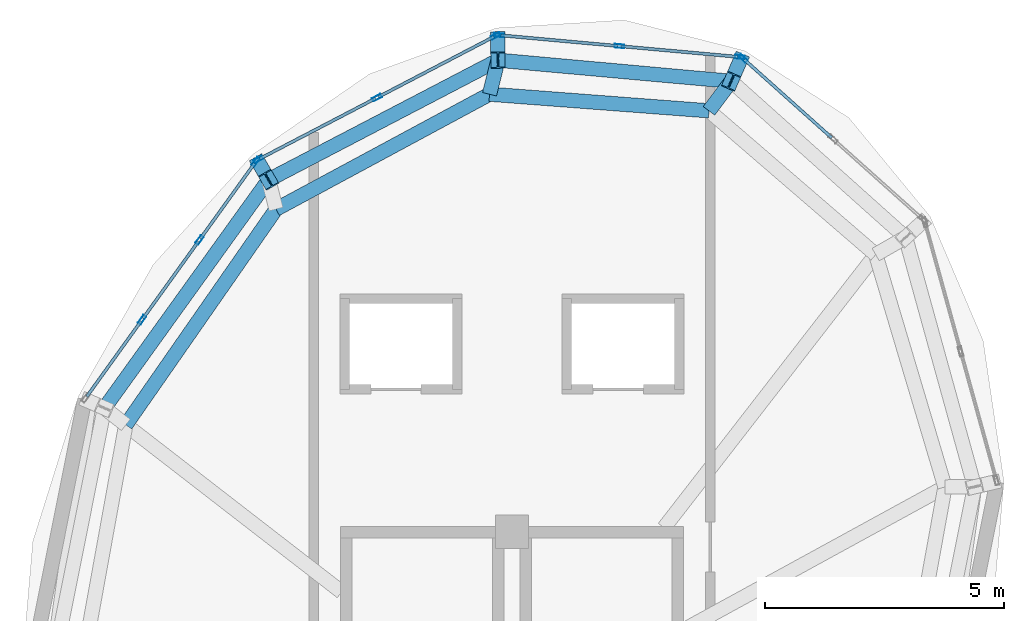
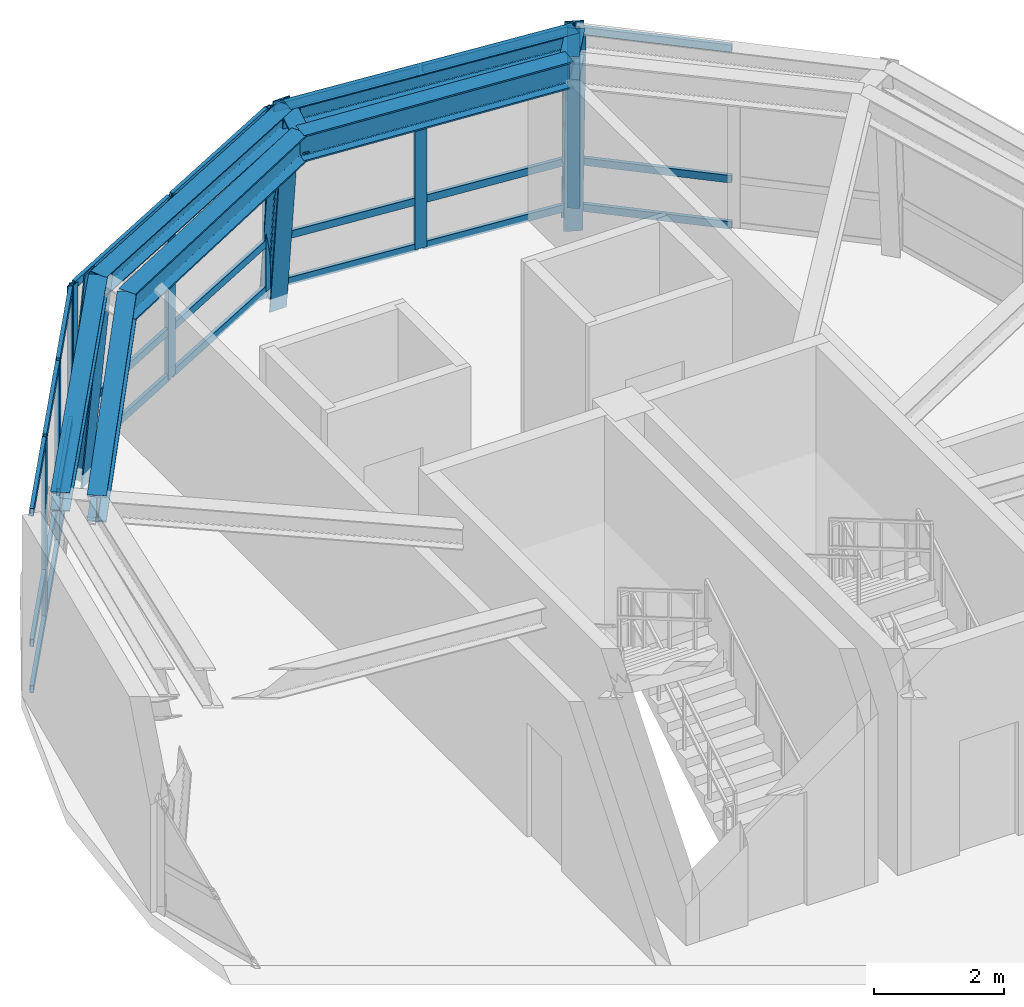
# One storey, part 5 of 9: 37 members, 8 beams, 4 elements without a shape of their own.
"""IFC4 building model written with IfcOpenShell, lengths in metres."""

from ifc_helpers import new_model, si_unit, direction, frame, origin, origin_2d, place, context, subcontext, project, spatial, hollow_rectangle, i_section, extrude, material, layer, layer_set, material_profile, profile_set, type_object, element, aggregate, save


model = new_model("IFC4")

# Units and contexts
model_context = context("Model", 3, precision=1e-05, world=origin(), true_north=direction((0.0, 1.0)))
body_context = subcontext(model_context, "Body", "Model", "MODEL_VIEW")
ifc_project = project(units=[si_unit("LENGTHUNIT", "METRE"), si_unit("AREAUNIT", "SQUARE_METRE"), si_unit("VOLUMEUNIT", "CUBIC_METRE"), si_unit("PLANEANGLEUNIT", "RADIAN"), si_unit("MASSUNIT", "GRAM", prefix="KILO"), si_unit("THERMODYNAMICTEMPERATUREUNIT", "KELVIN"), si_unit("POWERUNIT", "WATT")], contexts=[model_context])

# Site, building, storey
site_placement = place(None, origin())
site = spatial("IfcSite", under=ifc_project, at=site_placement, CompositionType="ELEMENT")
building_placement = place(site_placement, origin())
building = spatial("IfcBuilding", under=site, at=building_placement, Name="Ocrelia Relay Tower", CompositionType="ELEMENT")
storey_placement = place(building_placement, frame((0.0, 0.0, 304.0)))
storey = spatial("IfcBuildingStorey", under=building, at=storey_placement, Name="L76", CompositionType="ELEMENT", Elevation=304.0)

# Beams
ifc_material_1 = material(Name="Steel S355", Category="steel")
ifc_material_profile_1 = material_profile(ifc_material_1, i_section(OverallWidth=0.300048828125, OverallDepth=0.35009765625, WebThickness=0.010009765625, FlangeThickness=0.017578125, FilletRadius=0.027099609375, at=origin_2d()), Name="HEA 360")
ifc_profile_set_1 = profile_set([ifc_material_profile_1], Name="Steel S355")
beam_type_1 = type_object("IfcBeamType", Name="BM-HEA360", PredefinedType="SPANDREL", material=ifc_profile_set_1)
beam_1_placement = place(storey_placement, frame((38.585693359375, 36.546142578125, 3.574951171875), z_axis=(-0.995932328639, 0.090104366002, 0.0), x_axis=(-0.090104366002, -0.995932328639, 0.0)))
element("IfcBeam", 1, at=beam_1_placement, inside=storey, type_object=beam_type_1, Name="L76 Crown Faceted Ring Beam R01", PredefinedType="SPANDREL", context=body_context, shape_type="SweptSolid", body=[
    extrude(i_section(OverallWidth=0.300048828125, OverallDepth=0.35009765625, WebThickness=0.010009765625, FlangeThickness=0.017578125, FilletRadius=0.027099609375, at=origin_2d()), origin(), (0.0, 0.0, 1.0), 4.89892578125),
])
beam_2_placement = place(storey_placement, frame((33.706787109375, 36.987548828125, 3.574951171875), z_axis=(-0.886694185125, -0.462356379935, 0.0), x_axis=(0.462356379935, -0.886694185125, 0.0)))
element("IfcBeam", 2, at=beam_2_placement, inside=storey, type_object=beam_type_1, Name="L76 Crown Faceted Ring Beam R02", PredefinedType="SPANDREL", context=body_context, shape_type="SweptSolid", body=[
    extrude(i_section(OverallWidth=0.300048828125, OverallDepth=0.35009765625, WebThickness=0.010009765625, FlangeThickness=0.017578125, FilletRadius=0.027099609375, at=origin_2d()), origin(), (0.0, 0.0, 1.0), 5.413330078125),
])
beam_3_placement = place(storey_placement, frame((28.90673828125, 34.484619140625, 3.574951171875), z_axis=(-0.583939549479, -0.811797143722, 0.0), x_axis=(0.811797143722, -0.583939549479, 0.0)))
element("IfcBeam", 3, at=beam_3_placement, inside=storey, type_object=beam_type_1, Name="L76 Crown Faceted Ring Beam R03", PredefinedType="SPANDREL", context=body_context, shape_type="SweptSolid", body=[
    extrude(i_section(OverallWidth=0.300048828125, OverallDepth=0.35009765625, WebThickness=0.010009765625, FlangeThickness=0.017578125, FilletRadius=0.027099609375, at=origin_2d()), origin(), (0.0, 0.0, 1.0), 5.88330078125),
])
ifc_material_profile_2 = material_profile(ifc_material_1, i_section(OverallWidth=0.300048828125, OverallDepth=0.449951171875, WebThickness=0.013916015625, FlangeThickness=0.02587890625, FilletRadius=0.027099609375, at=origin_2d()), Name="HEB 450")
ifc_profile_set_2 = profile_set([ifc_material_profile_2], Name="Steel S355")
beam_type_2 = type_object("IfcBeamType", Name="BM-HEB450", PredefinedType="BEAM", material=ifc_profile_set_2)
beam_4_placement = place(storey_placement, frame((38.585693359375, 36.546142578125, 3.52490234375), z_axis=(-0.599595346551, -0.800303330241, 0.0), x_axis=(0.800303330241, -0.599595346551, 0.0)))
element("IfcBeam", 4, at=beam_4_placement, inside=storey, type_object=beam_type_2, Name="L76 Crown Step Radial Beam ST01", PredefinedType="BEAM", context=body_context, shape_type="SweptSolid", body=[
    extrude(i_section(OverallWidth=0.300048828125, OverallDepth=0.449951171875, WebThickness=0.013916015625, FlangeThickness=0.02587890625, FilletRadius=0.027099609375, at=origin_2d()), origin(), (0.0, 0.0, 1.0), 0.7724609375),
])
beam_5_placement = place(storey_placement, frame((33.706787109375, 36.987548828125, 3.52490234375), z_axis=(-0.241360467191, -0.970435533602, 0.0), x_axis=(0.970435533602, -0.241360467191, 0.0)))
element("IfcBeam", 5, at=beam_5_placement, inside=storey, type_object=beam_type_2, Name="L76 Crown Step Radial Beam ST02", PredefinedType="BEAM", context=body_context, shape_type="SweptSolid", body=[
    extrude(i_section(OverallWidth=0.300048828125, OverallDepth=0.449951171875, WebThickness=0.013916015625, FlangeThickness=0.02587890625, FilletRadius=0.027099609375, at=origin_2d()), origin(), (0.0, 0.0, 1.0), 0.7333984375),
])
ifc_material_profile_3 = material_profile(ifc_material_1, i_section(OverallWidth=0.300048828125, OverallDepth=0.5, WebThickness=0.014404296875, FlangeThickness=0.028076171875, FilletRadius=0.027099609375, at=origin_2d()), Name="HEB 500")
ifc_profile_set_3 = profile_set([ifc_material_profile_3], Name="Steel S355")
beam_type_3 = type_object("IfcBeamType", Name="BM-HEB500", PredefinedType="BEAM", material=ifc_profile_set_3)
beam_6_placement = place(storey_placement, frame((38.12255859375, 35.927978515625, 3.5), z_axis=(-0.997143292946, 0.075533127389, 0.0), x_axis=(-0.075533127389, -0.997143292946, 0.0)))
element("IfcBeam", 6, at=beam_6_placement, inside=storey, type_object=beam_type_3, Name="L76 Crown Step Perimeter Ring Beam SR01", PredefinedType="BEAM", context=body_context, shape_type="SweptSolid", body=[
    extrude(i_section(OverallWidth=0.300048828125, OverallDepth=0.5, WebThickness=0.014404296875, FlangeThickness=0.028076171875, FilletRadius=0.027099609375, at=origin_2d()), origin(), (0.0, 0.0, 1.0), 4.60595703125),
])
beam_7_placement = place(storey_placement, frame((33.52978515625, 36.27587890625, 3.5), z_axis=(-0.880424740468, -0.474185909082, 0.0), x_axis=(0.474185909082, -0.880424740468, 0.0)))
element("IfcBeam", 7, at=beam_7_placement, inside=storey, type_object=beam_type_3, Name="L76 Crown Step Perimeter Ring Beam SR02", PredefinedType="BEAM", context=body_context, shape_type="SweptSolid", body=[
    extrude(i_section(OverallWidth=0.300048828125, OverallDepth=0.5, WebThickness=0.014404296875, FlangeThickness=0.028076171875, FilletRadius=0.027099609375, at=origin_2d()), origin(), (0.0, 0.0, 1.0), 5.073486328125),
])
beam_8_placement = place(storey_placement, frame((29.06298828125, 33.8701171875, 3.5), z_axis=(-0.571483081197, -0.820613848229, 0.0), x_axis=(0.820613848229, -0.571483081197, 0.0)))
element("IfcBeam", 8, at=beam_8_placement, inside=storey, type_object=beam_type_3, Name="L76 Crown Step Perimeter Ring Beam SR03", PredefinedType="BEAM", context=body_context, shape_type="SweptSolid", body=[
    extrude(i_section(OverallWidth=0.300048828125, OverallDepth=0.5, WebThickness=0.014404296875, FlangeThickness=0.028076171875, FilletRadius=0.027099609375, at=origin_2d()), origin(), (0.0, 0.0, 1.0), 5.50146484375),
])

# Curtain wall, members
ifc_material_2 = material(Name="Aluminium and solar-control low-E glass", Category="aluminium")
ifc_layer = layer(ifc_material_2, 0.179931640625, Name="Aluminium and solar-control low-E glass")
ifc_layer_set = layer_set([ifc_layer], Name="Aluminium and solar-control low-E glass")
curtain_wall_type = type_object("IfcCurtainWallType", Name="CW-SYS-CROWN-PT", PredefinedType="NOTDEFINED", material=ifc_layer_set)
curtain_wall_1_placement = place(storey_placement, origin())
curtain_wall_1 = element("IfcCurtainWall", 9, at=curtain_wall_1_placement, inside=storey, type_object=curtain_wall_type, Name="L76 Faceted Glass-Point Crown Curtain Wall 01", PredefinedType="NOTDEFINED")
ifc_material_3 = material(Name="Anodised bronze aluminium", Category="aluminium")
ifc_material_profile_4 = material_profile(ifc_material_3, hollow_rectangle(XDim=0.074951171875, YDim=0.199951171875, WallThickness=0.006103515625, at=origin_2d()), Name="CW-MUL-200x75")
ifc_profile_set_4 = profile_set([ifc_material_profile_4], Name="Anodised bronze aluminium")
member_type_1 = type_object("IfcMemberType", Name="CW-SYS-CROWN-PT-MUL", PredefinedType="MULLION", material=ifc_profile_set_4)
member_1_placement = place(storey_placement, frame((38.767578125, 37.053955078125, 0.0), z_axis=(0.0, 0.0, 1.0), x_axis=(-0.090237264433, -0.995920296062, 0.0)))
member_1 = element("IfcMember", 10, at=member_1_placement, type_object=member_type_1, Name="CW-CR mullion 1", PredefinedType="MULLION", context=body_context, shape_type="SweptSolid", body=[
    extrude(hollow_rectangle(XDim=0.074951171875, YDim=0.199951171875, WallThickness=0.006103515625, at=origin_2d()), origin(), (0.0, 0.0, 1.0), 3.389892578125),
])
member_2_placement = place(storey_placement, frame((36.247802734375, 37.2822265625, 0.0), z_axis=(0.0, 0.0, 1.0), x_axis=(-0.090237264433, -0.995920296062, 0.0)))
member_2 = element("IfcMember", 11, at=member_2_placement, type_object=member_type_1, Name="CW-CR mullion 2", PredefinedType="MULLION", context=body_context, shape_type="SweptSolid", body=[
    extrude(hollow_rectangle(XDim=0.074951171875, YDim=0.199951171875, WallThickness=0.006103515625, at=origin_2d()), origin(), (0.0, 0.0, 1.0), 3.389892578125),
])
member_3_placement = place(storey_placement, frame((33.727783203125, 37.510498046875, 0.0), z_axis=(0.0, 0.0, 1.0), x_axis=(-0.090237264433, -0.995920296062, 0.0)))
member_3 = element("IfcMember", 12, at=member_3_placement, type_object=member_type_1, Name="CW-CR mullion 3", PredefinedType="MULLION", context=body_context, shape_type="SweptSolid", body=[
    extrude(hollow_rectangle(XDim=0.074951171875, YDim=0.199951171875, WallThickness=0.006103515625, at=origin_2d()), origin(), (0.0, 0.0, 1.0), 3.389892578125),
])

curtain_wall_2_placement = place(storey_placement, origin())
curtain_wall_2 = element("IfcCurtainWall", 13, at=curtain_wall_2_placement, inside=storey, type_object=curtain_wall_type, Name="L76 Faceted Glass-Point Crown Curtain Wall 02", PredefinedType="NOTDEFINED")
member_4_placement = place(storey_placement, frame((33.6572265625, 37.49658203125, 0.0), z_axis=(0.0, 0.0, 1.0), x_axis=(0.462104539137, -0.886825459101, 0.0)))
member_4 = element("IfcMember", 14, at=member_4_placement, type_object=member_type_1, Name="CW-CR mullion 1", PredefinedType="MULLION", context=body_context, shape_type="SweptSolid", body=[
    extrude(hollow_rectangle(XDim=0.074951171875, YDim=0.199951171875, WallThickness=0.006103515625, at=origin_2d()), origin(), (0.0, 0.0, 1.0), 3.389892578125),
])
member_5_placement = place(storey_placement, frame((31.1748046875, 36.203125, 0.0), z_axis=(0.0, 0.0, 1.0), x_axis=(0.462104539137, -0.886825459101, 0.0)))
member_5 = element("IfcMember", 15, at=member_5_placement, type_object=member_type_1, Name="CW-CR mullion 2", PredefinedType="MULLION", context=body_context, shape_type="SweptSolid", body=[
    extrude(hollow_rectangle(XDim=0.074951171875, YDim=0.199951171875, WallThickness=0.006103515625, at=origin_2d()), origin(), (0.0, 0.0, 1.0), 3.389892578125),
])
member_6_placement = place(storey_placement, frame((28.692138671875, 34.909423828125, 0.0), z_axis=(0.0, 0.0, 1.0), x_axis=(0.462104539137, -0.886825459101, 0.0)))
member_6 = element("IfcMember", 16, at=member_6_placement, type_object=member_type_1, Name="CW-CR mullion 3", PredefinedType="MULLION", context=body_context, shape_type="SweptSolid", body=[
    extrude(hollow_rectangle(XDim=0.074951171875, YDim=0.199951171875, WallThickness=0.006103515625, at=origin_2d()), origin(), (0.0, 0.0, 1.0), 3.389892578125),
])

curtain_wall_3_placement = place(storey_placement, origin())
curtain_wall_3 = element("IfcCurtainWall", 17, at=curtain_wall_3_placement, inside=storey, type_object=curtain_wall_type, Name="L76 Faceted Glass-Point Crown Curtain Wall 03", PredefinedType="NOTDEFINED")
member_7_placement = place(storey_placement, frame((28.63720703125, 34.86181640625, 0.0), z_axis=(0.0, 0.0, 1.0), x_axis=(0.811754879976, -0.583998300371, 0.0)))
member_7 = element("IfcMember", 18, at=member_7_placement, type_object=member_type_1, Name="CW-CR mullion 1", PredefinedType="MULLION", context=body_context, shape_type="SweptSolid", body=[
    extrude(hollow_rectangle(XDim=0.074951171875, YDim=0.199951171875, WallThickness=0.006103515625, at=origin_2d()), origin(), (0.0, 0.0, 1.0), 3.389892578125),
])
member_8_placement = place(storey_placement, frame((27.458984375, 33.22412109375, 0.0), z_axis=(0.0, 0.0, 1.0), x_axis=(0.811754879976, -0.583998300371, 0.0)))
member_8 = element("IfcMember", 19, at=member_8_placement, type_object=member_type_1, Name="CW-CR mullion 2", PredefinedType="MULLION", context=body_context, shape_type="SweptSolid", body=[
    extrude(hollow_rectangle(XDim=0.074951171875, YDim=0.199951171875, WallThickness=0.006103515625, at=origin_2d()), origin(), (0.0, 0.0, 1.0), 3.389892578125),
])
member_9_placement = place(storey_placement, frame((26.2587890625, 31.555908203125, 0.0), z_axis=(0.0, 0.0, 1.0), x_axis=(0.811754879976, -0.583998300371, 0.0)))
member_9 = element("IfcMember", 20, at=member_9_placement, type_object=member_type_1, Name="CW-CR mullion 3", PredefinedType="MULLION", context=body_context, shape_type="SweptSolid", body=[
    extrude(hollow_rectangle(XDim=0.074951171875, YDim=0.199951171875, WallThickness=0.006103515625, at=origin_2d()), origin(), (0.0, 0.0, 1.0), 3.389892578125),
])

# Curtain wall, member
curtain_wall_4_placement = place(storey_placement, origin())
curtain_wall_4 = element("IfcCurtainWall", 21, at=curtain_wall_4_placement, inside=storey, type_object=curtain_wall_type, Name="L76 Faceted Glass-Point Crown Curtain Wall 12", PredefinedType="NOTDEFINED")
member_10_placement = place(storey_placement, frame((38.832763671875, 37.025634765625, 0.0), z_axis=(0.0, 0.0, 1.0), x_axis=(-0.666821042262, -0.745217885988, 0.0)))
member_10 = element("IfcMember", 22, at=member_10_placement, type_object=member_type_1, Name="CW-CR mullion 3", PredefinedType="MULLION", context=body_context, shape_type="SweptSolid", body=[
    extrude(hollow_rectangle(XDim=0.074951171875, YDim=0.199951171875, WallThickness=0.006103515625, at=origin_2d()), origin(), (0.0, 0.0, 1.0), 3.389892578125),
])

# Member
ifc_material_profile_5 = material_profile(ifc_material_3, hollow_rectangle(XDim=0.06494140625, YDim=0.139892578125, WallThickness=0.0048828125, at=origin_2d()), Name="CW-TRN-140x65")
ifc_profile_set_5 = profile_set([ifc_material_profile_5], Name="Anodised bronze aluminium")
member_type_2 = type_object("IfcMemberType", Name="CW-SYS-CROWN-PT-TRN", PredefinedType="USERDEFINED", material=ifc_profile_set_5)
member_11_placement = place(storey_placement, frame((38.730224609375, 37.057373046875, 0.032470703125), z_axis=(-0.995924122311, 0.090195025356, 0.0), x_axis=(-0.090195025356, -0.995924122311, 0.0)))
member_11 = element("IfcMember", 23, at=member_11_placement, type_object=member_type_2, Name="CW-CR transom 1.1", ObjectType="TRANSOM", PredefinedType="USERDEFINED", context=body_context, shape_type="SweptSolid", body=[
    extrude(hollow_rectangle(XDim=0.06494140625, YDim=0.139892578125, WallThickness=0.0048828125, at=origin_2d()), origin(), (0.0, 0.0, 1.0), 2.455078125),
])

member_12_placement = place(storey_placement, frame((38.730224609375, 37.057373046875, 0.89990234375), z_axis=(-0.995924122311, 0.090195025356, 0.0), x_axis=(-0.090195025356, -0.995924122311, 0.0)))
member_12 = element("IfcMember", 24, at=member_12_placement, type_object=member_type_2, Name="CW-CR transom 1.2", ObjectType="TRANSOM", PredefinedType="USERDEFINED", context=body_context, shape_type="SweptSolid", body=[
    extrude(hollow_rectangle(XDim=0.06494140625, YDim=0.139892578125, WallThickness=0.0048828125, at=origin_2d()), origin(), (0.0, 0.0, 1.0), 2.455078125),
])

member_13_placement = place(storey_placement, frame((38.730224609375, 37.057373046875, 3.357421875), z_axis=(-0.995924122311, 0.090195025356, 0.0), x_axis=(-0.090195025356, -0.995924122311, 0.0)))
member_13 = element("IfcMember", 25, at=member_13_placement, type_object=member_type_2, Name="CW-CR transom 1.3", ObjectType="TRANSOM", PredefinedType="USERDEFINED", context=body_context, shape_type="SweptSolid", body=[
    extrude(hollow_rectangle(XDim=0.06494140625, YDim=0.139892578125, WallThickness=0.0048828125, at=origin_2d()), origin(), (0.0, 0.0, 1.0), 2.455078125),
])

member_14_placement = place(storey_placement, frame((36.21044921875, 37.28564453125, 0.032470703125), z_axis=(-0.995915995406, 0.090284716836, 0.0), x_axis=(-0.090284716836, -0.995915995406, 0.0)))
member_14 = element("IfcMember", 26, at=member_14_placement, type_object=member_type_2, Name="CW-CR transom 2.1", ObjectType="TRANSOM", PredefinedType="USERDEFINED", context=body_context, shape_type="SweptSolid", body=[
    extrude(hollow_rectangle(XDim=0.06494140625, YDim=0.139892578125, WallThickness=0.0048828125, at=origin_2d()), origin(), (0.0, 0.0, 1.0), 2.455322265625),
])

member_15_placement = place(storey_placement, frame((36.21044921875, 37.28564453125, 0.89990234375), z_axis=(-0.995915995406, 0.090284716836, 0.0), x_axis=(-0.090284716836, -0.995915995406, 0.0)))
member_15 = element("IfcMember", 27, at=member_15_placement, type_object=member_type_2, Name="CW-CR transom 2.2", ObjectType="TRANSOM", PredefinedType="USERDEFINED", context=body_context, shape_type="SweptSolid", body=[
    extrude(hollow_rectangle(XDim=0.06494140625, YDim=0.139892578125, WallThickness=0.0048828125, at=origin_2d()), origin(), (0.0, 0.0, 1.0), 2.455322265625),
])

member_16_placement = place(storey_placement, frame((36.21044921875, 37.28564453125, 3.357421875), z_axis=(-0.995915995406, 0.090284716836, 0.0), x_axis=(-0.090284716836, -0.995915995406, 0.0)))
member_16 = element("IfcMember", 28, at=member_16_placement, type_object=member_type_2, Name="CW-CR transom 2.3", ObjectType="TRANSOM", PredefinedType="USERDEFINED", context=body_context, shape_type="SweptSolid", body=[
    extrude(hollow_rectangle(XDim=0.06494140625, YDim=0.139892578125, WallThickness=0.0048828125, at=origin_2d()), origin(), (0.0, 0.0, 1.0), 2.455322265625),
])

aggregate(curtain_wall_1, [member_1, member_2, member_3, member_11, member_12, member_13, member_14, member_15, member_16])

member_17_placement = place(storey_placement, frame((33.6240234375, 37.479248046875, 0.032470703125), z_axis=(-0.886846762795, -0.462063652887, 0.0), x_axis=(0.462063652887, -0.886846762795, 0.0)))
member_17 = element("IfcMember", 29, at=member_17_placement, type_object=member_type_2, Name="CW-CR transom 1.1", ObjectType="TRANSOM", PredefinedType="USERDEFINED", context=body_context, shape_type="SweptSolid", body=[
    extrude(hollow_rectangle(XDim=0.06494140625, YDim=0.139892578125, WallThickness=0.0048828125, at=origin_2d()), origin(), (0.0, 0.0, 1.0), 2.724365234375),
])

member_18_placement = place(storey_placement, frame((33.6240234375, 37.479248046875, 0.89990234375), z_axis=(-0.886846762795, -0.462063652887, 0.0), x_axis=(0.462063652887, -0.886846762795, 0.0)))
member_18 = element("IfcMember", 30, at=member_18_placement, type_object=member_type_2, Name="CW-CR transom 1.2", ObjectType="TRANSOM", PredefinedType="USERDEFINED", context=body_context, shape_type="SweptSolid", body=[
    extrude(hollow_rectangle(XDim=0.06494140625, YDim=0.139892578125, WallThickness=0.0048828125, at=origin_2d()), origin(), (0.0, 0.0, 1.0), 2.724365234375),
])

member_19_placement = place(storey_placement, frame((33.6240234375, 37.479248046875, 3.357421875), z_axis=(-0.886846762795, -0.462063652887, 0.0), x_axis=(0.462063652887, -0.886846762795, 0.0)))
member_19 = element("IfcMember", 31, at=member_19_placement, type_object=member_type_2, Name="CW-CR transom 1.3", ObjectType="TRANSOM", PredefinedType="USERDEFINED", context=body_context, shape_type="SweptSolid", body=[
    extrude(hollow_rectangle(XDim=0.06494140625, YDim=0.139892578125, WallThickness=0.0048828125, at=origin_2d()), origin(), (0.0, 0.0, 1.0), 2.724365234375),
])

member_20_placement = place(storey_placement, frame((31.1416015625, 36.185791015625, 0.032470703125), z_axis=(-0.886810038419, -0.462134131783, 0.0), x_axis=(0.462134131783, -0.886810038419, 0.0)))
member_20 = element("IfcMember", 32, at=member_20_placement, type_object=member_type_2, Name="CW-CR transom 2.1", ObjectType="TRANSOM", PredefinedType="USERDEFINED", context=body_context, shape_type="SweptSolid", body=[
    extrude(hollow_rectangle(XDim=0.06494140625, YDim=0.139892578125, WallThickness=0.0048828125, at=origin_2d()), origin(), (0.0, 0.0, 1.0), 2.724365234375),
])

member_21_placement = place(storey_placement, frame((31.1416015625, 36.185791015625, 0.89990234375), z_axis=(-0.886810038419, -0.462134131783, 0.0), x_axis=(0.462134131783, -0.886810038419, 0.0)))
member_21 = element("IfcMember", 33, at=member_21_placement, type_object=member_type_2, Name="CW-CR transom 2.2", ObjectType="TRANSOM", PredefinedType="USERDEFINED", context=body_context, shape_type="SweptSolid", body=[
    extrude(hollow_rectangle(XDim=0.06494140625, YDim=0.139892578125, WallThickness=0.0048828125, at=origin_2d()), origin(), (0.0, 0.0, 1.0), 2.724365234375),
])

member_22_placement = place(storey_placement, frame((31.1416015625, 36.185791015625, 3.357421875), z_axis=(-0.886810038419, -0.462134131783, 0.0), x_axis=(0.462134131783, -0.886810038419, 0.0)))
member_22 = element("IfcMember", 34, at=member_22_placement, type_object=member_type_2, Name="CW-CR transom 2.3", ObjectType="TRANSOM", PredefinedType="USERDEFINED", context=body_context, shape_type="SweptSolid", body=[
    extrude(hollow_rectangle(XDim=0.06494140625, YDim=0.139892578125, WallThickness=0.0048828125, at=origin_2d()), origin(), (0.0, 0.0, 1.0), 2.724365234375),
])

aggregate(curtain_wall_2, [member_4, member_5, member_6, member_17, member_18, member_19, member_20, member_21, member_22])

member_23_placement = place(storey_placement, frame((28.615234375, 34.831298828125, 0.032470703125), z_axis=(-0.584016653813, -0.8117416757, 0.0), x_axis=(0.8117416757, -0.584016653813, 0.0)))
member_23 = element("IfcMember", 35, at=member_23_placement, type_object=member_type_2, Name="CW-CR transom 1.1", ObjectType="TRANSOM", PredefinedType="USERDEFINED", context=body_context, shape_type="SweptSolid", body=[
    extrude(hollow_rectangle(XDim=0.06494140625, YDim=0.139892578125, WallThickness=0.0048828125, at=origin_2d()), origin(), (0.0, 0.0, 1.0), 1.942626953125),
])

member_24_placement = place(storey_placement, frame((28.615234375, 34.831298828125, 0.89990234375), z_axis=(-0.584016653813, -0.8117416757, 0.0), x_axis=(0.8117416757, -0.584016653813, 0.0)))
member_24 = element("IfcMember", 36, at=member_24_placement, type_object=member_type_2, Name="CW-CR transom 1.2", ObjectType="TRANSOM", PredefinedType="USERDEFINED", context=body_context, shape_type="SweptSolid", body=[
    extrude(hollow_rectangle(XDim=0.06494140625, YDim=0.139892578125, WallThickness=0.0048828125, at=origin_2d()), origin(), (0.0, 0.0, 1.0), 1.942626953125),
])

member_25_placement = place(storey_placement, frame((28.615234375, 34.831298828125, 3.357421875), z_axis=(-0.584016653813, -0.8117416757, 0.0), x_axis=(0.8117416757, -0.584016653813, 0.0)))
member_25 = element("IfcMember", 37, at=member_25_placement, type_object=member_type_2, Name="CW-CR transom 1.3", ObjectType="TRANSOM", PredefinedType="USERDEFINED", context=body_context, shape_type="SweptSolid", body=[
    extrude(hollow_rectangle(XDim=0.06494140625, YDim=0.139892578125, WallThickness=0.0048828125, at=origin_2d()), origin(), (0.0, 0.0, 1.0), 1.942626953125),
])

member_26_placement = place(storey_placement, frame((27.43701171875, 33.193603515625, 0.032470703125), z_axis=(-0.583999331402, -0.811754138223, 0.0), x_axis=(0.811754138223, -0.583999331402, 0.0)))
member_26 = element("IfcMember", 38, at=member_26_placement, type_object=member_type_2, Name="CW-CR transom 2.1", ObjectType="TRANSOM", PredefinedType="USERDEFINED", context=body_context, shape_type="SweptSolid", body=[
    extrude(hollow_rectangle(XDim=0.06494140625, YDim=0.139892578125, WallThickness=0.0048828125, at=origin_2d()), origin(), (0.0, 0.0, 1.0), 1.97998046875),
])

member_27_placement = place(storey_placement, frame((27.43701171875, 33.193603515625, 0.89990234375), z_axis=(-0.583999331402, -0.811754138223, 0.0), x_axis=(0.811754138223, -0.583999331402, 0.0)))
member_27 = element("IfcMember", 39, at=member_27_placement, type_object=member_type_2, Name="CW-CR transom 2.2", ObjectType="TRANSOM", PredefinedType="USERDEFINED", context=body_context, shape_type="SweptSolid", body=[
    extrude(hollow_rectangle(XDim=0.06494140625, YDim=0.139892578125, WallThickness=0.0048828125, at=origin_2d()), origin(), (0.0, 0.0, 1.0), 1.97998046875),
])

member_28_placement = place(storey_placement, frame((27.43701171875, 33.193603515625, 3.357421875), z_axis=(-0.583999331402, -0.811754138223, 0.0), x_axis=(0.811754138223, -0.583999331402, 0.0)))
member_28 = element("IfcMember", 40, at=member_28_placement, type_object=member_type_2, Name="CW-CR transom 2.3", ObjectType="TRANSOM", PredefinedType="USERDEFINED", context=body_context, shape_type="SweptSolid", body=[
    extrude(hollow_rectangle(XDim=0.06494140625, YDim=0.139892578125, WallThickness=0.0048828125, at=origin_2d()), origin(), (0.0, 0.0, 1.0), 1.97998046875),
])

member_29_placement = place(storey_placement, frame((26.23681640625, 31.525390625, 0.032470703125), z_axis=(-0.583993417789, -0.811758392614, 0.0), x_axis=(0.811758392614, -0.583993417789, 0.0)))
member_29 = element("IfcMember", 41, at=member_29_placement, type_object=member_type_2, Name="CW-CR transom 3.1", ObjectType="TRANSOM", PredefinedType="USERDEFINED", context=body_context, shape_type="SweptSolid", body=[
    extrude(hollow_rectangle(XDim=0.06494140625, YDim=0.139892578125, WallThickness=0.0048828125, at=origin_2d()), origin(), (0.0, 0.0, 1.0), 1.9423828125),
])

member_30_placement = place(storey_placement, frame((26.23681640625, 31.525390625, 0.89990234375), z_axis=(-0.583993417789, -0.811758392614, 0.0), x_axis=(0.811758392614, -0.583993417789, 0.0)))
member_30 = element("IfcMember", 42, at=member_30_placement, type_object=member_type_2, Name="CW-CR transom 3.2", ObjectType="TRANSOM", PredefinedType="USERDEFINED", context=body_context, shape_type="SweptSolid", body=[
    extrude(hollow_rectangle(XDim=0.06494140625, YDim=0.139892578125, WallThickness=0.0048828125, at=origin_2d()), origin(), (0.0, 0.0, 1.0), 1.9423828125),
])

member_31_placement = place(storey_placement, frame((26.23681640625, 31.525390625, 3.357421875), z_axis=(-0.583993417789, -0.811758392614, 0.0), x_axis=(0.811758392614, -0.583993417789, 0.0)))
member_31 = element("IfcMember", 43, at=member_31_placement, type_object=member_type_2, Name="CW-CR transom 3.3", ObjectType="TRANSOM", PredefinedType="USERDEFINED", context=body_context, shape_type="SweptSolid", body=[
    extrude(hollow_rectangle(XDim=0.06494140625, YDim=0.139892578125, WallThickness=0.0048828125, at=origin_2d()), origin(), (0.0, 0.0, 1.0), 1.9423828125),
])

aggregate(curtain_wall_3, [member_7, member_8, member_9, member_23, member_24, member_25, member_26, member_27, member_28, member_29, member_30, member_31])

member_32_placement = place(storey_placement, frame((40.6904296875, 35.363525390625, 0.032470703125), z_axis=(-0.745249116169, 0.666786138766, 0.0), x_axis=(-0.666786138766, -0.745249116169, 0.0)))
member_32 = element("IfcMember", 44, at=member_32_placement, type_object=member_type_2, Name="CW-CR transom 2.1", ObjectType="TRANSOM", PredefinedType="USERDEFINED", context=body_context, shape_type="SweptSolid", body=[
    extrude(hollow_rectangle(XDim=0.06494140625, YDim=0.139892578125, WallThickness=0.0048828125, at=origin_2d()), origin(), (0.0, 0.0, 1.0), 2.455078125),
])

member_33_placement = place(storey_placement, frame((40.6904296875, 35.363525390625, 0.89990234375), z_axis=(-0.745249116169, 0.666786138766, 0.0), x_axis=(-0.666786138766, -0.745249116169, 0.0)))
member_33 = element("IfcMember", 45, at=member_33_placement, type_object=member_type_2, Name="CW-CR transom 2.2", ObjectType="TRANSOM", PredefinedType="USERDEFINED", context=body_context, shape_type="SweptSolid", body=[
    extrude(hollow_rectangle(XDim=0.06494140625, YDim=0.139892578125, WallThickness=0.0048828125, at=origin_2d()), origin(), (0.0, 0.0, 1.0), 2.455078125),
])

member_34_placement = place(storey_placement, frame((40.6904296875, 35.363525390625, 3.357421875), z_axis=(-0.745249116169, 0.666786138766, 0.0), x_axis=(-0.666786138766, -0.745249116169, 0.0)))
member_34 = element("IfcMember", 46, at=member_34_placement, type_object=member_type_2, Name="CW-CR transom 2.3", ObjectType="TRANSOM", PredefinedType="USERDEFINED", context=body_context, shape_type="SweptSolid", body=[
    extrude(hollow_rectangle(XDim=0.06494140625, YDim=0.139892578125, WallThickness=0.0048828125, at=origin_2d()), origin(), (0.0, 0.0, 1.0), 2.455078125),
])

aggregate(curtain_wall_4, [member_10, member_32, member_33, member_34])

# Members
ifc_material_profile_6 = material_profile(ifc_material_1, i_section(OverallWidth=0.300048828125, OverallDepth=0.340087890625, WebThickness=0.011962890625, FlangeThickness=0.021484375, FilletRadius=0.027099609375, at=origin_2d()), Name="HEB 340")
ifc_profile_set_6 = profile_set([ifc_material_profile_6], Name="Steel S355")
member_type_3 = type_object("IfcMemberType", Name="MB-CROWN-RIB", PredefinedType="STRUT", material=ifc_profile_set_6)
member_35_placement = place(storey_placement, frame((38.76513671875, 36.958984375, -0.25), z_axis=(-0.044579431207, -0.10256301792, 0.993727076047), x_axis=(0.917113162943, -0.398626951368, 0.0)))
element("IfcMember", 47, at=member_35_placement, inside=storey, type_object=member_type_3, Name="L76 Crown Faceted Structural Strut Rib CR01", PredefinedType="STRUT", context=body_context, shape_type="SweptSolid", body=[
    extrude(i_section(OverallWidth=0.300048828125, OverallDepth=0.340087890625, WebThickness=0.011962890625, FlangeThickness=0.021484375, FilletRadius=0.027099609375, at=origin_2d()), origin(), (0.0, 0.0, 1.0), 4.025146484375),
])
member_36_placement = place(storey_placement, frame((33.701904296875, 37.41455078125, -0.25), z_axis=(0.001213805755, -0.106147313242, 0.994349674193), x_axis=(0.999934625589, 0.011434358211, 0.0)))
element("IfcMember", 48, at=member_36_placement, inside=storey, type_object=member_type_3, Name="L76 Crown Faceted Structural Strut Rib CR02", PredefinedType="STRUT", context=body_context, shape_type="SweptSolid", body=[
    extrude(i_section(OverallWidth=0.300048828125, OverallDepth=0.340087890625, WebThickness=0.011962890625, FlangeThickness=0.021484375, FilletRadius=0.027099609375, at=origin_2d()), origin(), (0.0, 0.0, 1.0), 4.022705078125),
])
member_37_placement = place(storey_placement, frame((28.718505859375, 34.811767578125, -0.25), z_axis=(0.046850000909, -0.08142542311, 0.995577710621), x_axis=(0.866766510077, 0.498714163634, 0.0)))
element("IfcMember", 49, at=member_37_placement, inside=storey, type_object=member_type_3, Name="L76 Crown Faceted Structural Strut Rib CR03", PredefinedType="STRUT", context=body_context, shape_type="SweptSolid", body=[
    extrude(i_section(OverallWidth=0.300048828125, OverallDepth=0.340087890625, WebThickness=0.011962890625, FlangeThickness=0.021484375, FilletRadius=0.027099609375, at=origin_2d()), origin(), (0.0, 0.0, 1.0), 4.017822265625),
])

save(model, "model.ifc")
